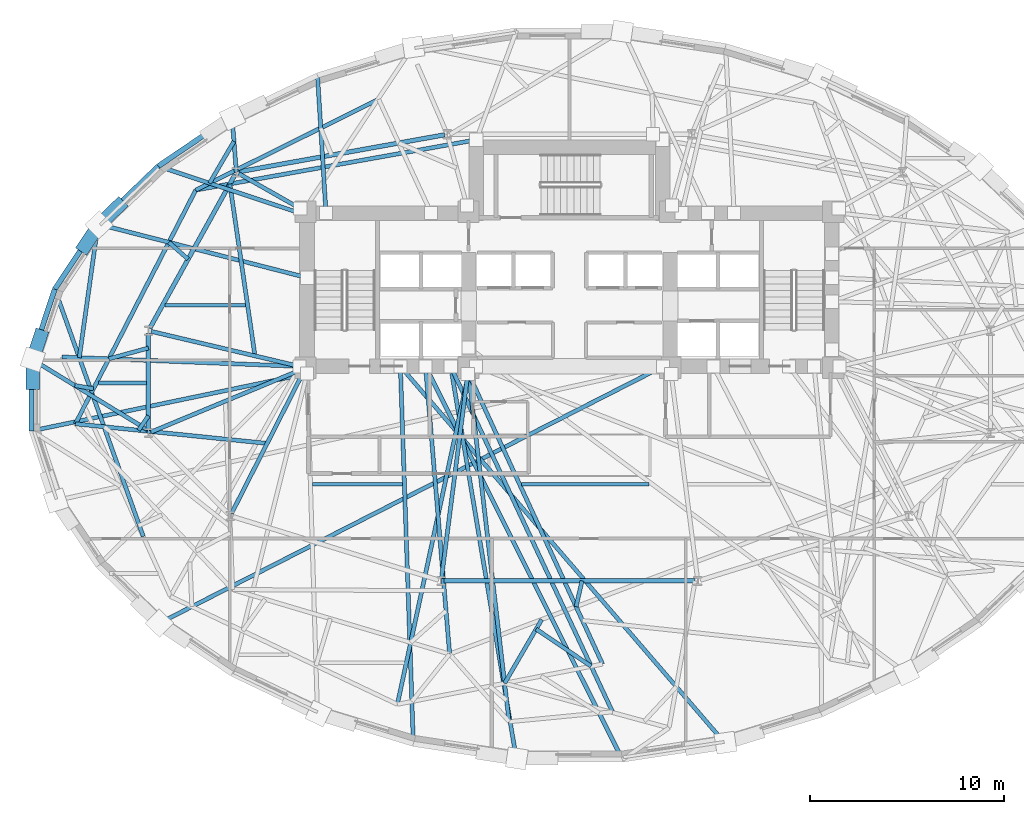
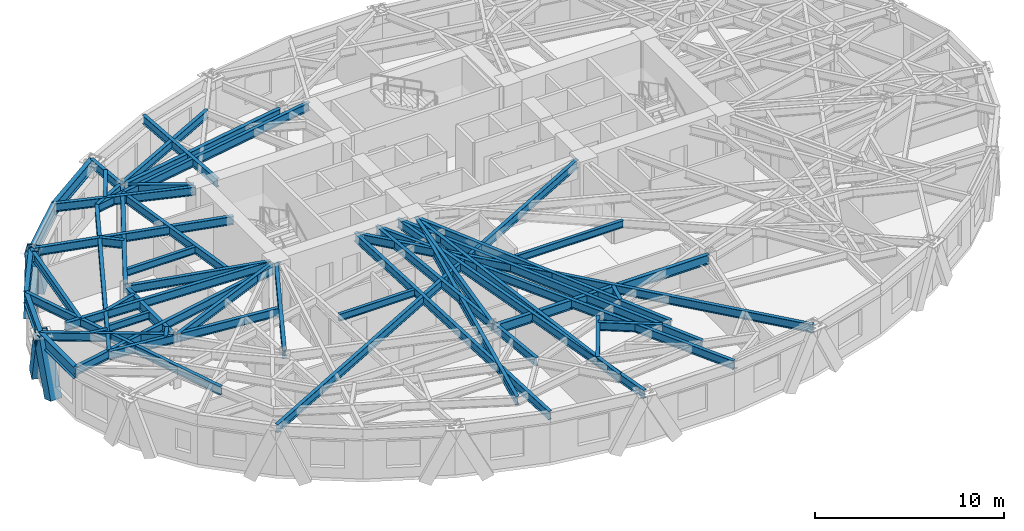
# One storey, part 2 of 14: 50 beams, 4 members.
"""IFC4 building model written with IfcOpenShell, lengths in metres."""

from ifc_helpers import new_model, si_unit, direction, frame, origin, origin_2d, place, context, subcontext, project, spatial, hollow_rectangle, i_section, extrude, material, material_profile, profile_set, type_object, element, save


model = new_model("IFC4")

# Units and contexts
model_context = context("Model", 3, precision=1e-05, world=origin(), true_north=direction((0.0, 1.0)))
body_context = subcontext(model_context, "Body", "Model", "MODEL_VIEW")
ifc_project = project(units=[si_unit("LENGTHUNIT", "METRE"), si_unit("AREAUNIT", "SQUARE_METRE"), si_unit("VOLUMEUNIT", "CUBIC_METRE"), si_unit("PLANEANGLEUNIT", "RADIAN"), si_unit("MASSUNIT", "GRAM", prefix="KILO")], contexts=[model_context])

# Site, building, storey
site_placement = place(None, origin())
site = spatial("IfcSite", under=ifc_project, at=site_placement, CompositionType="ELEMENT")
building_placement = place(site_placement, origin())
building = spatial("IfcBuilding", under=site, at=building_placement, Name="Keldmark Tower", CompositionType="ELEMENT")
storey_placement = place(building_placement, frame((0.0, 0.0, 100.10009765625)))
storey = spatial("IfcBuildingStorey", under=building, at=storey_placement, Name="L26", CompositionType="ELEMENT", Elevation=100.10009765625)

# Beams
ifc_material_1 = material(Name="Steel ASTM A992 Grade 50", Category="steel")
ifc_material_profile_1 = material_profile(ifc_material_1, i_section(OverallWidth=0.19091796875, OverallDepth=0.45703125, WebThickness=0.009033203125, FlangeThickness=0.014404296875, at=origin_2d()), Name="W18X50")
ifc_profile_set_1 = profile_set([ifc_material_profile_1], Name="Steel ASTM A992 Grade 50")
beam_type_1 = type_object("IfcBeamType", Name="Composite Floor Joist W18X50", PredefinedType="JOIST", material=ifc_profile_set_1)
beam_1_placement = place(storey_placement, frame((-13.253662109375, -4.60009765625, 3.081298828125), z_axis=(1.0, 0.0, 0.0), x_axis=(0.0, 1.0, 0.0)))
element("IfcBeam", 1, at=beam_1_placement, inside=storey, type_object=beam_type_1, Name="L26 Composite Floor Joist J04", PredefinedType="JOIST", context=body_context, shape_type="SweptSolid", body=[
    extrude(i_section(OverallWidth=0.19091796875, OverallDepth=0.45703125, WebThickness=0.009033203125, FlangeThickness=0.014404296875, at=origin_2d()), origin(), (0.0, 0.0, 1.0), 4.652099609375),
])
beam_2_placement = place(storey_placement, frame((-2.4638671875, -4.60009765625, 3.081298828125), z_axis=(1.0, 0.0, 0.0), x_axis=(0.0, 1.0, 0.0)))
element("IfcBeam", 2, at=beam_2_placement, inside=storey, type_object=beam_type_1, Name="L26 Composite Floor Joist J05", PredefinedType="JOIST", context=body_context, shape_type="SweptSolid", body=[
    extrude(i_section(OverallWidth=0.19091796875, OverallDepth=0.45703125, WebThickness=0.009033203125, FlangeThickness=0.014404296875, at=origin_2d()), origin(), (0.0, 0.0, 1.0), 6.5712890625),
])
beam_3_placement = place(storey_placement, frame((-24.26806640625, 0.6201171875, 3.081298828125), z_axis=(1.0, 0.0, 0.0), x_axis=(0.0, 1.0, 0.0)))
element("IfcBeam", 3, at=beam_3_placement, inside=storey, type_object=beam_type_1, Name="L26 Composite Floor Joist J08", PredefinedType="JOIST", context=body_context, shape_type="SweptSolid", body=[
    extrude(i_section(OverallWidth=0.19091796875, OverallDepth=0.45703125, WebThickness=0.009033203125, FlangeThickness=0.014404296875, at=origin_2d()), origin(), (0.0, 0.0, 1.0), 2.465576171875),
])
beam_4_placement = place(storey_placement, frame((-20.84912109375, 4.6201171875, 3.081298828125), z_axis=(1.0, 0.0, 0.0), x_axis=(0.0, 1.0, 0.0)))
element("IfcBeam", 4, at=beam_4_placement, inside=storey, type_object=beam_type_1, Name="L26 Composite Floor Joist J09", PredefinedType="JOIST", context=body_context, shape_type="SweptSolid", body=[
    extrude(i_section(OverallWidth=0.19091796875, OverallDepth=0.45703125, WebThickness=0.009033203125, FlangeThickness=0.014404296875, at=origin_2d()), origin(), (0.0, 0.0, 1.0), 4.1650390625),
])

# Members
ifc_material_2 = material(Name="Steel ASTM A572 Grade 50", Category="steel")
ifc_material_profile_2 = material_profile(ifc_material_2, hollow_rectangle(XDim=0.699951171875, YDim=0.699951171875, WallThickness=0.044921875, at=origin_2d()), Name="BOX700X700X45")
ifc_profile_set_2 = profile_set([ifc_material_profile_2], Name="Steel ASTM A572 Grade 50")
member_type = type_object("IfcMemberType", Name="Diagrid Zone 2 Brace BOX700X700X45", PredefinedType="BRACE", material=ifc_profile_set_2)
member_1_placement = place(storey_placement, frame((-23.212158203125, 9.759765625, -0.27001953125), z_axis=(-0.276144933571, -0.265716991779, 0.923654944199), x_axis=(0.693370375166, -0.720581378362, 0.0)))
element("IfcMember", 5, at=member_1_placement, inside=storey, type_object=member_type, Name="L26 Perimeter Diagrid Brace 07A", PredefinedType="BRACE", context=body_context, shape_type="SweptSolid", body=[
    extrude(hollow_rectangle(XDim=0.699951171875, YDim=0.699951171875, WallThickness=0.044921875, at=origin_2d()), origin(), (0.0, 0.0, 1.0), 3.745849609375),
])
member_2_placement = place(storey_placement, frame((-24.9833984375, 7.657958984375, -0.27001953125), z_axis=(0.20033727484, 0.300801977198, 0.932407178664), x_axis=(-0.832302268479, 0.554322048889, 0.0)))
element("IfcMember", 6, at=member_2_placement, inside=storey, type_object=member_type, Name="L26 Perimeter Diagrid Brace 07B", PredefinedType="BRACE", context=body_context, shape_type="SweptSolid", body=[
    extrude(hollow_rectangle(XDim=0.699951171875, YDim=0.699951171875, WallThickness=0.044921875, at=origin_2d()), origin(), (0.0, 0.0, 1.0), 3.710693359375),
])
member_3_placement = place(storey_placement, frame((-27.260498046875, 3.0341796875, -0.27001953125), z_axis=(-0.107952872963, -0.326045509503, 0.939170113958), x_axis=(0.94931811266, -0.314316911692, 0.0)))
element("IfcMember", 7, at=member_3_placement, inside=storey, type_object=member_type, Name="L26 Perimeter Diagrid Brace 08A", PredefinedType="BRACE", context=body_context, shape_type="SweptSolid", body=[
    extrude(hollow_rectangle(XDim=0.699951171875, YDim=0.699951171875, WallThickness=0.044921875, at=origin_2d()), origin(), (0.0, 0.0, 1.0), 3.68408203125),
])
member_4_placement = place(storey_placement, frame((-27.656005859375, 0.61083984375, -0.27001953125), z_axis=(0.0, 0.335839528807, 0.941919216754), x_axis=(-1.0, 0.0, 0.0)))
element("IfcMember", 8, at=member_4_placement, inside=storey, type_object=member_type, Name="L26 Perimeter Diagrid Brace 08B", PredefinedType="BRACE", context=body_context, shape_type="SweptSolid", body=[
    extrude(hollow_rectangle(XDim=0.699951171875, YDim=0.699951171875, WallThickness=0.044921875, at=origin_2d()), origin(), (0.0, 0.0, 1.0), 3.67333984375),
])

# Beams
ifc_material_3 = material(Name="Steel ASTM A992 Grade 50", Category="steel")
ifc_material_profile_3 = material_profile(ifc_material_3, i_section(OverallWidth=0.22900390625, OverallDepth=0.612060546875, WebThickness=0.011962890625, FlangeThickness=0.01953125, at=origin_2d()), Name="W24X84")
ifc_profile_set_3 = profile_set([ifc_material_profile_3], Name="Steel ASTM A992 Grade 50")
beam_type_2 = type_object("IfcBeamType", Name="Primary Floor Girder W24X84", PredefinedType="BEAM", material=ifc_profile_set_3)
beam_5_placement = place(storey_placement, frame((-6.4365234375, 13.40771484375, 3.00390625), z_axis=(-0.984218266992, -0.176958760505, 0.0), x_axis=(0.176958760505, -0.984218266992, 0.0)))
element("IfcBeam", 9, at=beam_5_placement, inside=storey, type_object=beam_type_2, Name="L26 Floor Ring Girder FG-R04", PredefinedType="BEAM", context=body_context, shape_type="SweptSolid", body=[
    extrude(i_section(OverallWidth=0.22900390625, OverallDepth=0.612060546875, WebThickness=0.011962890625, FlangeThickness=0.01953125, at=origin_2d()), origin(), (0.0, 0.0, 1.0), 10.7626953125),
])
beam_6_placement = place(storey_placement, frame((-17.235107421875, 11.35595703125, 3.00390625), z_axis=(-0.484951836703, -0.874540860154, 0.0), x_axis=(0.874540860154, -0.484951836703, 0.0)))
element("IfcBeam", 10, at=beam_6_placement, inside=storey, type_object=beam_type_2, Name="L26 Floor Ring Girder FG-R05", PredefinedType="BEAM", context=body_context, shape_type="SweptSolid", body=[
    extrude(i_section(OverallWidth=0.22900390625, OverallDepth=0.612060546875, WebThickness=0.011962890625, FlangeThickness=0.01953125, at=origin_2d()), origin(), (0.0, 0.0, 1.0), 9.060302734375),
])
beam_7_placement = place(storey_placement, frame((-21.697021484375, 3.169921875, 3.00390625), z_axis=(0.0, -1.0, 0.0), x_axis=(1.0, 0.0, 0.0)))
element("IfcBeam", 11, at=beam_7_placement, inside=storey, type_object=beam_type_2, Name="L26 Floor Ring Girder FG-R06", PredefinedType="BEAM", context=body_context, shape_type="SweptSolid", body=[
    extrude(i_section(OverallWidth=0.22900390625, OverallDepth=0.612060546875, WebThickness=0.011962890625, FlangeThickness=0.01953125, at=origin_2d()), origin(), (0.0, 0.0, 1.0), 4.995849609375),
])
beam_8_placement = place(storey_placement, frame((-6.472900390625, -9.579345703125, 3.00390625), z_axis=(1.0, 0.0, 0.0), x_axis=(0.0, 1.0, 0.0)))
element("IfcBeam", 12, at=beam_8_placement, inside=storey, type_object=beam_type_2, Name="L26 Floor Ring Girder FG-R09", PredefinedType="BEAM", context=body_context, shape_type="SweptSolid", body=[
    extrude(i_section(OverallWidth=0.22900390625, OverallDepth=0.612060546875, WebThickness=0.011962890625, FlangeThickness=0.01953125, at=origin_2d()), origin(), (0.0, 0.0, 1.0), 12.94580078125),
])
ifc_material_4 = material(Name="Steel ASTM A992 Grade 50", Category="steel")
ifc_material_profile_4 = material_profile(ifc_material_4, i_section(OverallWidth=0.2099609375, OverallDepth=0.537109375, WebThickness=0.010986328125, FlangeThickness=0.017333984375, at=origin_2d()), Name="W21X68")
ifc_profile_set_4 = profile_set([ifc_material_profile_4], Name="Steel ASTM A992 Grade 50")
beam_type_3 = type_object("IfcBeamType", Name="Radial Tie Girder W21X68", PredefinedType="BEAM", material=ifc_profile_set_4)
beam_9_placement = place(storey_placement, frame((-17.04541015625, 11.4091796875, 3.04150390625), z_axis=(0.86928447329, -0.494312152892, 0.0), x_axis=(0.494312152892, 0.86928447329, 0.0)))
element("IfcBeam", 13, at=beam_9_placement, inside=storey, type_object=beam_type_3, Name="L26 Floor Radial Girder FG-C05", PredefinedType="BEAM", context=body_context, shape_type="SweptSolid", body=[
    extrude(i_section(OverallWidth=0.2099609375, OverallDepth=0.537109375, WebThickness=0.010986328125, FlangeThickness=0.017333984375, at=origin_2d()), origin(), (0.0, 0.0, 1.0), 3.6435546875),
])
beam_10_placement = place(storey_placement, frame((-21.560546875, 3.27783203125, 3.04150390625), z_axis=(0.973283778272, -0.229605502879, 0.0), x_axis=(0.229605502879, 0.973283778272, 0.0)))
element("IfcBeam", 14, at=beam_10_placement, inside=storey, type_object=beam_type_3, Name="L26 Floor Radial Girder FG-C06", PredefinedType="BEAM", context=body_context, shape_type="SweptSolid", body=[
    extrude(i_section(OverallWidth=0.2099609375, OverallDepth=0.537109375, WebThickness=0.010986328125, FlangeThickness=0.017333984375, at=origin_2d()), origin(), (0.0, 0.0, 1.0), 7.85888671875),
])
beam_11_placement = place(storey_placement, frame((-21.567626953125, -1.912109375, 3.04150390625), z_axis=(0.923397393633, 0.383845350932, 0.0), x_axis=(-0.383845350932, 0.923397393633, 0.0)))
element("IfcBeam", 15, at=beam_11_placement, inside=storey, type_object=beam_type_3, Name="L26 Floor Radial Girder FG-C07", PredefinedType="BEAM", context=body_context, shape_type="SweptSolid", body=[
    extrude(i_section(OverallWidth=0.2099609375, OverallDepth=0.537109375, WebThickness=0.010986328125, FlangeThickness=0.017333984375, at=origin_2d()), origin(), (0.0, 0.0, 1.0), 8.30859375),
])
beam_12_placement = place(storey_placement, frame((-17.413818359375, -6.104736328125, 3.04150390625), z_axis=(0.453028637759, 0.891495963743, 0.0), x_axis=(-0.891495963743, 0.453028637759, 0.0)))
element("IfcBeam", 16, at=beam_12_placement, inside=storey, type_object=beam_type_3, Name="L26 Floor Radial Girder FG-C08", PredefinedType="BEAM", context=body_context, shape_type="SweptSolid", body=[
    extrude(i_section(OverallWidth=0.2099609375, OverallDepth=0.537109375, WebThickness=0.010986328125, FlangeThickness=0.017333984375, at=origin_2d()), origin(), (0.0, 0.0, 1.0), 8.09814453125),
])
beam_13_placement = place(storey_placement, frame((-6.594970703125, -9.4404296875, 3.04150390625), z_axis=(0.127642040045, 0.991820301069, 0.0), x_axis=(-0.991820301069, 0.127642040045, 0.0)))
element("IfcBeam", 17, at=beam_13_placement, inside=storey, type_object=beam_type_3, Name="L26 Floor Radial Girder FG-C09", PredefinedType="BEAM", context=body_context, shape_type="SweptSolid", body=[
    extrude(i_section(OverallWidth=0.2099609375, OverallDepth=0.537109375, WebThickness=0.010986328125, FlangeThickness=0.017333984375, at=origin_2d()), origin(), (0.0, 0.0, 1.0), 10.609619140625),
])
beam_14_placement = place(storey_placement, frame((-16.206298828125, 2.014892578125, 3.04150390625), z_axis=(-0.144668966659, 0.989480111011, 0.0), x_axis=(-0.989480111011, -0.144668966659, 0.0)))
element("IfcBeam", 18, at=beam_14_placement, inside=storey, type_object=beam_type_3, Name="L26 Framing Pin Header PH-003", PredefinedType="BEAM", context=body_context, shape_type="SweptSolid", body=[
    extrude(i_section(OverallWidth=0.2099609375, OverallDepth=0.537109375, WebThickness=0.010986328125, FlangeThickness=0.017333984375, at=origin_2d()), origin(), (0.0, 0.0, 1.0), 8.954345703125),
])
beam_15_placement = place(storey_placement, frame((-4.800048828125, 13.14990234375, 3.04150390625), z_axis=(-0.984336944595, -0.176297417749, 0.0), x_axis=(0.176297417749, -0.984336944595, 0.0)))
element("IfcBeam", 19, at=beam_15_placement, inside=storey, type_object=beam_type_3, Name="L26 Sub-Ring Step Girder STP1-M06", PredefinedType="BEAM", context=body_context, shape_type="SweptSolid", body=[
    extrude(i_section(OverallWidth=0.2099609375, OverallDepth=0.537109375, WebThickness=0.010986328125, FlangeThickness=0.017333984375, at=origin_2d()), origin(), (0.0, 0.0, 1.0), 14.688720703125),
])
beam_16_placement = place(storey_placement, frame((-21.697021484375, -1.076416015625, 3.04150390625), z_axis=(-0.566712846815, -0.823915377484, 0.0), x_axis=(0.823915377484, -0.566712846815, 0.0)))
element("IfcBeam", 20, at=beam_16_placement, inside=storey, type_object=beam_type_3, Name="L26 Framing Pin Header PH-004", PredefinedType="BEAM", context=body_context, shape_type="SweptSolid", body=[
    extrude(i_section(OverallWidth=0.2099609375, OverallDepth=0.537109375, WebThickness=0.010986328125, FlangeThickness=0.017333984375, at=origin_2d()), origin(), (0.0, 0.0, 1.0), 0.90087890625),
])
beam_17_placement = place(storey_placement, frame((-15.57958984375, -2.4951171875, 3.04150390625), z_axis=(-0.994834649081, 0.101508723705, 0.0), x_axis=(-0.101508723705, -0.994834649081, 0.0)))
element("IfcBeam", 21, at=beam_17_placement, inside=storey, type_object=beam_type_3, Name="L26 Sub-Ring Step Girder STP1-M07", PredefinedType="BEAM", context=body_context, shape_type="SweptSolid", body=[
    extrude(i_section(OverallWidth=0.2099609375, OverallDepth=0.537109375, WebThickness=0.010986328125, FlangeThickness=0.017333984375, at=origin_2d()), origin(), (0.0, 0.0, 1.0), 9.93310546875),
])
beam_18_placement = place(storey_placement, frame((-7.41796875, 1.47509765625, 3.04150390625), z_axis=(0.083564279251, -0.996502388975, 0.0), x_axis=(0.996502388975, 0.083564279251, 0.0)))
element("IfcBeam", 22, at=beam_18_placement, inside=storey, type_object=beam_type_3, Name="L26 Sub-Ring Step Girder STP1-M09", PredefinedType="BEAM", context=body_context, shape_type="SweptSolid", body=[
    extrude(i_section(OverallWidth=0.2099609375, OverallDepth=0.537109375, WebThickness=0.010986328125, FlangeThickness=0.017333984375, at=origin_2d()), origin(), (0.0, 0.0, 1.0), 14.876708984375),
])
beam_19_placement = place(storey_placement, frame((-9.835693359375, 15.235595703125, 3.04150390625), z_axis=(-0.895801561562, -0.444454229705, 0.0), x_axis=(0.444454229705, -0.895801561562, 0.0)))
element("IfcBeam", 23, at=beam_19_placement, inside=storey, type_object=beam_type_3, Name="L26 Perimeter Collector Ring Beam CRG1-M05", PredefinedType="BEAM", context=body_context, shape_type="SweptSolid", body=[
    extrude(i_section(OverallWidth=0.2099609375, OverallDepth=0.537109375, WebThickness=0.010986328125, FlangeThickness=0.017333984375, at=origin_2d()), origin(), (0.0, 0.0, 1.0), 10.519287109375),
])
beam_20_placement = place(storey_placement, frame((-19.2587890625, 10.560302734375, 3.04150390625), z_axis=(-0.457755076319, -0.889078337439, 0.0), x_axis=(0.889078337439, -0.457755076319, 0.0)))
element("IfcBeam", 24, at=beam_20_placement, inside=storey, type_object=beam_type_3, Name="L26 Perimeter Collector Ring Beam CRG1-M06", PredefinedType="BEAM", context=body_context, shape_type="SweptSolid", body=[
    extrude(i_section(OverallWidth=0.2099609375, OverallDepth=0.537109375, WebThickness=0.010986328125, FlangeThickness=0.017333984375, at=origin_2d()), origin(), (0.0, 0.0, 1.0), 13.550048828125),
])
beam_21_placement = place(storey_placement, frame((-21.697021484375, 2.42041015625, 3.04150390625), z_axis=(-0.96450500901, -0.264064551946, 0.0), x_axis=(0.264064551946, -0.96450500901, 0.0)))
element("IfcBeam", 25, at=beam_21_placement, inside=storey, type_object=beam_type_3, Name="L26 Framing Pin Header PH-010", PredefinedType="BEAM", context=body_context, shape_type="SweptSolid", body=[
    extrude(i_section(OverallWidth=0.2099609375, OverallDepth=0.537109375, WebThickness=0.010986328125, FlangeThickness=0.017333984375, at=origin_2d()), origin(), (0.0, 0.0, 1.0), 2.115478515625),
])
beam_22_placement = place(storey_placement, frame((-13.89990234375, 1.47509765625, 3.04150390625), z_axis=(-0.999228201232, 0.039281062405, 0.0), x_axis=(-0.039281062405, -0.999228201232, 0.0)))
element("IfcBeam", 26, at=beam_22_placement, inside=storey, type_object=beam_type_3, Name="L26 Sub-Ring Step Girder STP2-M07", PredefinedType="BEAM", context=body_context, shape_type="SweptSolid", body=[
    extrude(i_section(OverallWidth=0.2099609375, OverallDepth=0.537109375, WebThickness=0.010986328125, FlangeThickness=0.017333984375, at=origin_2d()), origin(), (0.0, 0.0, 1.0), 12.2626953125),
])
beam_23_placement = place(storey_placement, frame((-5.199951171875, 1.10009765625, 3.04150390625), z_axis=(-0.210462581744, -0.977601913708, 0.0), x_axis=(0.977601913708, -0.210462581744, 0.0)))
element("IfcBeam", 27, at=beam_23_placement, inside=storey, type_object=beam_type_3, Name="L26 Sub-Ring Step Girder STP2-M09", PredefinedType="BEAM", context=body_context, shape_type="SweptSolid", body=[
    extrude(i_section(OverallWidth=0.2099609375, OverallDepth=0.537109375, WebThickness=0.010986328125, FlangeThickness=0.017333984375, at=origin_2d()), origin(), (0.0, 0.0, 1.0), 17.430419921875),
])
beam_24_placement = place(storey_placement, frame((0.647216796875, -9.579345703125, 3.04150390625), z_axis=(-0.225762338717, -0.974182409211, 0.0), x_axis=(0.974182409211, -0.225762338717, 0.0)))
element("IfcBeam", 28, at=beam_24_placement, inside=storey, type_object=beam_type_3, Name="L26 Framing Pin Header PH-013", PredefinedType="BEAM", context=body_context, shape_type="SweptSolid", body=[
    extrude(i_section(OverallWidth=0.2099609375, OverallDepth=0.537109375, WebThickness=0.010986328125, FlangeThickness=0.017333984375, at=origin_2d()), origin(), (0.0, 0.0, 1.0), 1.362548828125),
])
beam_25_placement = place(storey_placement, frame((-5.199951171875, 1.10009765625, 3.04150390625), z_axis=(0.418938879898, -0.908014435408, 0.0), x_axis=(0.908014435408, 0.418938879898, 0.0)))
element("IfcBeam", 29, at=beam_25_placement, inside=storey, type_object=beam_type_3, Name="L26 Sub-Ring Step Girder STP2-M10", PredefinedType="BEAM", context=body_context, shape_type="SweptSolid", body=[
    extrude(i_section(OverallWidth=0.2099609375, OverallDepth=0.537109375, WebThickness=0.010986328125, FlangeThickness=0.017333984375, at=origin_2d()), origin(), (0.0, 0.0, 1.0), 16.482177734375),
])
beam_26_placement = place(storey_placement, frame((-12.54638671875, 9.375, 3.04150390625), z_axis=(-0.061700276129, 0.998094722922, 0.0), x_axis=(-0.998094722922, -0.061700276129, 0.0)))
element("IfcBeam", 30, at=beam_26_placement, inside=storey, type_object=beam_type_3, Name="L26 Perimeter Radial Tie Girder RT-11", PredefinedType="BEAM", context=body_context, shape_type="SweptSolid", body=[
    extrude(i_section(OverallWidth=0.2099609375, OverallDepth=0.537109375, WebThickness=0.010986328125, FlangeThickness=0.017333984375, at=origin_2d()), origin(), (0.0, 0.0, 1.0), 7.1064453125),
])
beam_27_placement = place(storey_placement, frame((-17.1669921875, 11.478271484375, 3.04150390625), z_axis=(-0.077006087343, 0.997030622655, 0.0), x_axis=(-0.997030622655, -0.077006087343, 0.0)))
element("IfcBeam", 31, at=beam_27_placement, inside=storey, type_object=beam_type_3, Name="L26 Perimeter Column Bracket RT-12", PredefinedType="BEAM", context=body_context, shape_type="SweptSolid", body=[
    extrude(i_section(OverallWidth=0.2099609375, OverallDepth=0.537109375, WebThickness=0.010986328125, FlangeThickness=0.017333984375, at=origin_2d()), origin(), (0.0, 0.0, 1.0), 2.89453125),
])
beam_28_placement = place(storey_placement, frame((-17.28955078125, 13.065673828125, 3.04150390625), z_axis=(-0.504449485271, -0.863441206342, 0.0), x_axis=(0.863441206342, -0.504449485271, 0.0)))
element("IfcBeam", 32, at=beam_28_placement, inside=storey, type_object=beam_type_3, Name="L26 Framing Pin Header PH-022", PredefinedType="BEAM", context=body_context, shape_type="SweptSolid", body=[
    extrude(i_section(OverallWidth=0.2099609375, OverallDepth=0.537109375, WebThickness=0.010986328125, FlangeThickness=0.017333984375, at=origin_2d()), origin(), (0.0, 0.0, 1.0), 2.492431640625),
])
beam_29_placement = place(storey_placement, frame((-13.89990234375, 9.375, 3.04150390625), z_axis=(-0.94932040912, 0.314309975705, 0.0), x_axis=(-0.314309975705, -0.94932040912, 0.0)))
element("IfcBeam", 33, at=beam_29_placement, inside=storey, type_object=beam_type_3, Name="L26 Perimeter Radial Tie Girder RT-13", PredefinedType="BEAM", context=body_context, shape_type="SweptSolid", body=[
    extrude(i_section(OverallWidth=0.2099609375, OverallDepth=0.537109375, WebThickness=0.010986328125, FlangeThickness=0.017333984375, at=origin_2d()), origin(), (0.0, 0.0, 1.0), 7.678955078125),
])
beam_30_placement = place(storey_placement, frame((-19.651611328125, 6.997802734375, 3.04150390625), z_axis=(-0.752416343637, 0.658687821223, 0.0), x_axis=(-0.658687821223, -0.752416343637, 0.0)))
element("IfcBeam", 34, at=beam_30_placement, inside=storey, type_object=beam_type_3, Name="L26 Framing Pin Header PH-023", PredefinedType="BEAM", context=body_context, shape_type="SweptSolid", body=[
    extrude(i_section(OverallWidth=0.2099609375, OverallDepth=0.537109375, WebThickness=0.010986328125, FlangeThickness=0.017333984375, at=origin_2d()), origin(), (0.0, 0.0, 1.0), 1.320556640625),
])
beam_31_placement = place(storey_placement, frame((-13.52490234375, 6.04296875, 3.04150390625), z_axis=(-0.968696781598, 0.248246944234, 0.0), x_axis=(-0.248246944234, -0.968696781598, 0.0)))
element("IfcBeam", 35, at=beam_31_placement, inside=storey, type_object=beam_type_3, Name="L26 Perimeter Radial Tie Girder RT-14", PredefinedType="BEAM", context=body_context, shape_type="SweptSolid", body=[
    extrude(i_section(OverallWidth=0.2099609375, OverallDepth=0.537109375, WebThickness=0.010986328125, FlangeThickness=0.017333984375, at=origin_2d()), origin(), (0.0, 0.0, 1.0), 11.115966796875),
])
beam_32_placement = place(storey_placement, frame((-24.29296875, 8.802490234375, 3.04150390625), z_axis=(-0.13900071886, -0.990292280166, 0.0), x_axis=(0.990292280166, -0.13900071886, 0.0)))
element("IfcBeam", 36, at=beam_32_placement, inside=storey, type_object=beam_type_3, Name="L26 Framing Pin Header PH-024", PredefinedType="BEAM", context=body_context, shape_type="SweptSolid", body=[
    extrude(i_section(OverallWidth=0.2099609375, OverallDepth=0.537109375, WebThickness=0.010986328125, FlangeThickness=0.017333984375, at=origin_2d()), origin(), (0.0, 0.0, 1.0), 6.9482421875),
])
beam_33_placement = place(storey_placement, frame((-21.960693359375, -7.294921875, 3.04150390625), z_axis=(-0.336911994657, 0.941536142618, 0.0), x_axis=(-0.941536142618, -0.336911994657, 0.0)))
element("IfcBeam", 37, at=beam_33_placement, inside=storey, type_object=beam_type_3, Name="L26 Perimeter Radial Tie Girder RT-15", PredefinedType="BEAM", context=body_context, shape_type="SweptSolid", body=[
    extrude(i_section(OverallWidth=0.2099609375, OverallDepth=0.537109375, WebThickness=0.010986328125, FlangeThickness=0.017333984375, at=origin_2d()), origin(), (0.0, 0.0, 1.0), 13.540771484375),
])
beam_34_placement = place(storey_placement, frame((-24.531005859375, 0.3203125, 3.04150390625), z_axis=(-0.984651816895, 0.174530225132, 0.0), x_axis=(-0.174530225132, -0.984651816895, 0.0)))
element("IfcBeam", 38, at=beam_34_placement, inside=storey, type_object=beam_type_3, Name="L26 Framing Pin Header PH-025", PredefinedType="BEAM", context=body_context, shape_type="SweptSolid", body=[
    extrude(i_section(OverallWidth=0.2099609375, OverallDepth=0.537109375, WebThickness=0.010986328125, FlangeThickness=0.017333984375, at=origin_2d()), origin(), (0.0, 0.0, 1.0), 0.97216796875),
])
beam_35_placement = place(storey_placement, frame((-21.697021484375, -1.825927734375, 3.04150390625), z_axis=(-0.853385353326, 0.521280575822, 0.0), x_axis=(-0.521280575822, -0.853385353326, 0.0)))
element("IfcBeam", 39, at=beam_35_placement, inside=storey, type_object=beam_type_3, Name="L26 Perimeter Radial Tie Girder RT-16", PredefinedType="BEAM", context=body_context, shape_type="SweptSolid", body=[
    extrude(i_section(OverallWidth=0.2099609375, OverallDepth=0.537109375, WebThickness=0.010986328125, FlangeThickness=0.017333984375, at=origin_2d()), origin(), (0.0, 0.0, 1.0), 7.052734375),
])
beam_36_placement = place(storey_placement, frame((-13.52490234375, 1.10009765625, 3.04150390625), z_axis=(-0.979059659864, -0.203573530763, 0.0), x_axis=(0.203573530763, -0.979059659864, 0.0)))
element("IfcBeam", 40, at=beam_36_placement, inside=storey, type_object=beam_type_3, Name="L26 Perimeter Radial Tie Girder RT-17", PredefinedType="BEAM", context=body_context, shape_type="SweptSolid", body=[
    extrude(i_section(OverallWidth=0.2099609375, OverallDepth=0.537109375, WebThickness=0.010986328125, FlangeThickness=0.017333984375, at=origin_2d()), origin(), (0.0, 0.0, 1.0), 14.494384765625),
])
beam_37_placement = place(storey_placement, frame((4.824951171875, 1.47509765625, 3.04150390625), z_axis=(-0.890888103103, -0.454222839309, 0.0), x_axis=(0.454222839309, -0.890888103103, 0.0)))
element("IfcBeam", 41, at=beam_37_placement, inside=storey, type_object=beam_type_3, Name="L26 Perimeter Radial Tie Girder RT-20", PredefinedType="BEAM", context=body_context, shape_type="SweptSolid", body=[
    extrude(i_section(OverallWidth=0.2099609375, OverallDepth=0.537109375, WebThickness=0.010986328125, FlangeThickness=0.017333984375, at=origin_2d()), origin(), (0.0, 0.0, 1.0), 29.20068359375),
])
beam_38_placement = place(storey_placement, frame((-8.71435546875, 1.47509765625, 3.04150390625), z_axis=(0.034352124829, -0.999409791587, 0.0), x_axis=(0.999409791587, 0.034352124829, 0.0)))
element("IfcBeam", 42, at=beam_38_placement, inside=storey, type_object=beam_type_3, Name="L26 Perimeter Radial Tie Girder RT-23", PredefinedType="BEAM", context=body_context, shape_type="SweptSolid", body=[
    extrude(i_section(OverallWidth=0.2099609375, OverallDepth=0.537109375, WebThickness=0.010986328125, FlangeThickness=0.017333984375, at=origin_2d()), origin(), (0.0, 0.0, 1.0), 19.466064453125),
])
beam_39_placement = place(storey_placement, frame((-1.429443359375, -11.5703125, 3.04150390625), z_axis=(-0.503244138967, -0.864144279964, 0.0), x_axis=(0.864144279964, -0.503244138967, 0.0)))
element("IfcBeam", 43, at=beam_39_placement, inside=storey, type_object=beam_type_3, Name="L26 Framing Pin Header PH-032", PredefinedType="BEAM", context=body_context, shape_type="SweptSolid", body=[
    extrude(i_section(OverallWidth=0.2099609375, OverallDepth=0.537109375, WebThickness=0.010986328125, FlangeThickness=0.017333984375, at=origin_2d()), origin(), (0.0, 0.0, 1.0), 3.802490234375),
])
beam_40_placement = place(storey_placement, frame((-5.199951171875, 1.10009765625, 3.04150390625), z_axis=(0.115592370927, -0.993296735011, 0.0), x_axis=(0.993296735011, 0.115592370927, 0.0)))
element("IfcBeam", 44, at=beam_40_placement, inside=storey, type_object=beam_type_3, Name="L26 Intermediate Radial Step Girder RT-24M", PredefinedType="BEAM", context=body_context, shape_type="SweptSolid", body=[
    extrude(i_section(OverallWidth=0.2099609375, OverallDepth=0.537109375, WebThickness=0.010986328125, FlangeThickness=0.017333984375, at=origin_2d()), origin(), (0.0, 0.0, 1.0), 18.058349609375),
])
beam_41_placement = place(storey_placement, frame((-6.121337890625, 1.47509765625, 3.04150390625), z_axis=(0.165079171882, -0.986280318678, 0.0), x_axis=(0.986280318678, 0.165079171882, 0.0)))
element("IfcBeam", 45, at=beam_41_placement, inside=storey, type_object=beam_type_3, Name="L26 Perimeter Radial Tie Girder RT-24", PredefinedType="BEAM", context=body_context, shape_type="SweptSolid", body=[
    extrude(i_section(OverallWidth=0.2099609375, OverallDepth=0.537109375, WebThickness=0.010986328125, FlangeThickness=0.017333984375, at=origin_2d()), origin(), (0.0, 0.0, 1.0), 20.54541015625),
])
beam_42_placement = place(storey_placement, frame((-1.716552734375, -12.06298828125, 3.04150390625), z_axis=(0.828256151033, -0.56034966608, 0.0), x_axis=(0.56034966608, 0.828256151033, 0.0)))
element("IfcBeam", 46, at=beam_42_placement, inside=storey, type_object=beam_type_3, Name="L26 Framing Pin Header PH-034", PredefinedType="BEAM", context=body_context, shape_type="SweptSolid", body=[
    extrude(i_section(OverallWidth=0.2099609375, OverallDepth=0.537109375, WebThickness=0.010986328125, FlangeThickness=0.017333984375, at=origin_2d()), origin(), (0.0, 0.0, 1.0), 3.4228515625),
])
beam_43_placement = place(storey_placement, frame((-6.121337890625, 1.47509765625, 3.04150390625), z_axis=(0.424176129322, -0.905579710083, 0.0), x_axis=(0.905579710083, 0.424176129322, 0.0)))
element("IfcBeam", 47, at=beam_43_placement, inside=storey, type_object=beam_type_3, Name="L26 Intermediate Radial Step Girder RT-25M", PredefinedType="BEAM", context=body_context, shape_type="SweptSolid", body=[
    extrude(i_section(OverallWidth=0.2099609375, OverallDepth=0.537109375, WebThickness=0.010986328125, FlangeThickness=0.017333984375, at=origin_2d()), origin(), (0.0, 0.0, 1.0), 19.658447265625),
])
beam_44_placement = place(storey_placement, frame((-7.41796875, 1.47509765625, 3.04150390625), z_axis=(0.447778009443, -0.894144761355, 0.0), x_axis=(0.894144761355, 0.447778009443, 0.0)))
element("IfcBeam", 48, at=beam_44_placement, inside=storey, type_object=beam_type_3, Name="L26 Perimeter Radial Tie Girder RT-25", PredefinedType="BEAM", context=body_context, shape_type="SweptSolid", body=[
    extrude(i_section(OverallWidth=0.2099609375, OverallDepth=0.537109375, WebThickness=0.010986328125, FlangeThickness=0.017333984375, at=origin_2d()), origin(), (0.0, 0.0, 1.0), 22.662353515625),
])
beam_45_placement = place(storey_placement, frame((-8.71435546875, 1.47509765625, 3.04150390625), z_axis=(0.652689631699, -0.757625398645, 0.0), x_axis=(0.757625398645, 0.652689631699, 0.0)))
element("IfcBeam", 49, at=beam_45_placement, inside=storey, type_object=beam_type_3, Name="L26 Perimeter Radial Tie Girder RT-26R", PredefinedType="BEAM", context=body_context, shape_type="SweptSolid", body=[
    extrude(i_section(OverallWidth=0.2099609375, OverallDepth=0.537109375, WebThickness=0.010986328125, FlangeThickness=0.017333984375, at=origin_2d()), origin(), (0.0, 0.0, 1.0), 25.678466796875),
])
ifc_material_5 = material(Name="Steel ASTM A992 Grade 50", Category="steel")
ifc_material_profile_5 = material_profile(ifc_material_5, i_section(OverallWidth=0.26806640625, OverallDepth=0.77001953125, WebThickness=0.015625, FlangeThickness=0.025390625, at=origin_2d()), Name="W30X132")
ifc_profile_set_5 = profile_set([ifc_material_profile_5], Name="Steel ASTM A992 Grade 50")
beam_type_4 = type_object("IfcBeamType", Name="Spandrel Ring Beam W30X132", PredefinedType="SPANDREL", material=ifc_profile_set_5)
beam_46_placement = place(storey_placement, frame((-17.389892578125, 14.3642578125, 2.9248046875), z_axis=(-0.827754551165, -0.56109036975, 0.0), x_axis=(0.56109036975, -0.827754551165, 0.0)))
element("IfcBeam", 50, at=beam_46_placement, inside=storey, type_object=beam_type_4, Name="L26 Perimeter Spandrel Ring Beam SRB-12", PredefinedType="SPANDREL", context=body_context, shape_type="SweptSolid", body=[
    extrude(i_section(OverallWidth=0.26806640625, OverallDepth=0.77001953125, WebThickness=0.015625, FlangeThickness=0.025390625, at=origin_2d()), origin(), (0.0, 0.0, 1.0), 4.590576171875),
])
beam_47_placement = place(storey_placement, frame((-21.189697265625, 11.78857421875, 2.9248046875), z_axis=(-0.720581378362, -0.693370375166, 0.0), x_axis=(0.693370375166, -0.720581378362, 0.0)))
element("IfcBeam", 51, at=beam_47_placement, inside=storey, type_object=beam_type_4, Name="L26 Perimeter Spandrel Ring Beam SRB-13", PredefinedType="SPANDREL", context=body_context, shape_type="SweptSolid", body=[
    extrude(i_section(OverallWidth=0.26806640625, OverallDepth=0.77001953125, WebThickness=0.015625, FlangeThickness=0.025390625, at=origin_2d()), origin(), (0.0, 0.0, 1.0), 4.306640625),
])
beam_48_placement = place(storey_placement, frame((-24.29296875, 8.802490234375, 2.9248046875), z_axis=(-0.554265966169, -0.832339617432, 0.0), x_axis=(0.832339617432, -0.554265966169, 0.0)))
element("IfcBeam", 52, at=beam_48_placement, inside=storey, type_object=beam_type_4, Name="L26 Perimeter Spandrel Ring Beam SRB-14", PredefinedType="SPANDREL", context=body_context, shape_type="SweptSolid", body=[
    extrude(i_section(OverallWidth=0.26806640625, OverallDepth=0.77001953125, WebThickness=0.015625, FlangeThickness=0.025390625, at=origin_2d()), origin(), (0.0, 0.0, 1.0), 4.02294921875),
])
beam_49_placement = place(storey_placement, frame((-26.522705078125, 5.4541015625, 2.9248046875), z_axis=(-0.314316911692, -0.94931811266, 0.0), x_axis=(0.94931811266, -0.314316911692, 0.0)))
element("IfcBeam", 53, at=beam_49_placement, inside=storey, type_object=beam_type_4, Name="L26 Perimeter Spandrel Ring Beam SRB-15", PredefinedType="SPANDREL", context=body_context, shape_type="SweptSolid", body=[
    extrude(i_section(OverallWidth=0.26806640625, OverallDepth=0.77001953125, WebThickness=0.015625, FlangeThickness=0.025390625, at=origin_2d()), origin(), (0.0, 0.0, 1.0), 3.7958984375),
])
beam_50_placement = place(storey_placement, frame((-27.7158203125, 1.8505859375, 2.9248046875), z_axis=(0.0, -1.0, 0.0), x_axis=(1.0, 0.0, 0.0)))
element("IfcBeam", 54, at=beam_50_placement, inside=storey, type_object=beam_type_4, Name="L26 Perimeter Spandrel Ring Beam SRB-16", PredefinedType="SPANDREL", context=body_context, shape_type="SweptSolid", body=[
    extrude(i_section(OverallWidth=0.26806640625, OverallDepth=0.77001953125, WebThickness=0.015625, FlangeThickness=0.025390625, at=origin_2d()), origin(), (0.0, 0.0, 1.0), 3.701171875),
])

save(model, "model.ifc")
